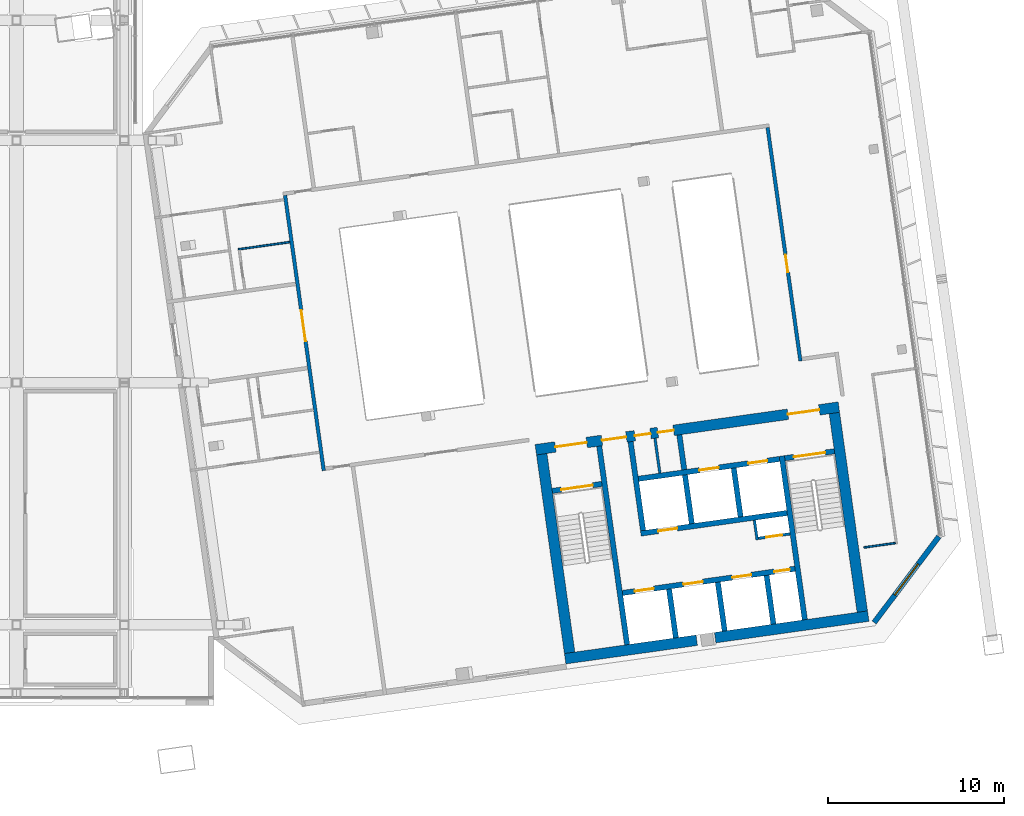
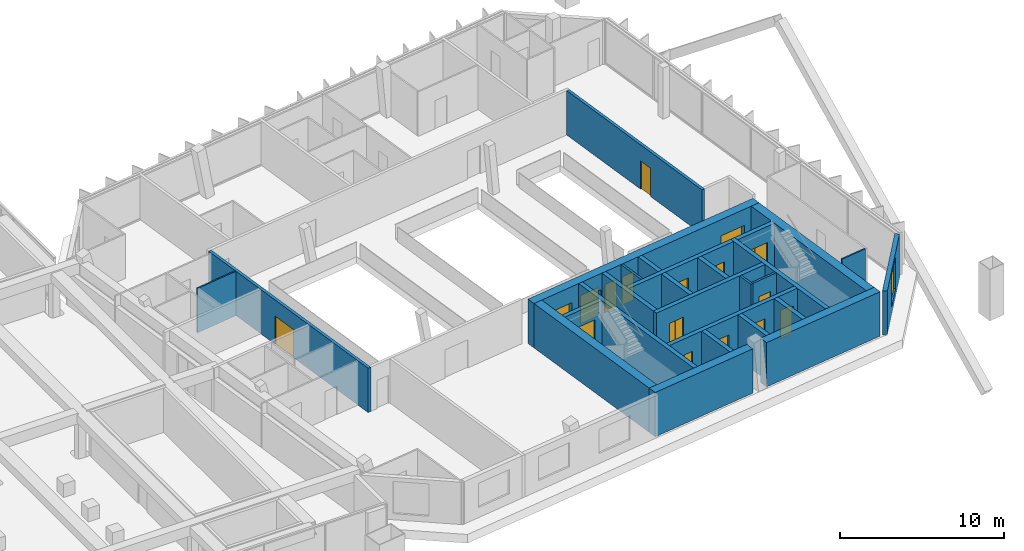
# One storey, part 19 of 28: 27 walls, 17 doors, 1 window, 18 openings.
"""IFC4 building model written with IfcOpenShell, lengths in metres."""

from ifc_helpers import new_model, si_unit, direction, frame, frame_2d, origin, place, context, subcontext, project, spatial, rectangle, extrude, material, layer, layer_set, type_object, element, fill, save


model = new_model("IFC4")

# Units and contexts
model_context = context("Model", 3, precision=1e-05, world=origin(), true_north=direction((0.0, 1.0)))
body_context = subcontext(model_context, "Body", "Model", "MODEL_VIEW")
ifc_project = project(units=[si_unit("LENGTHUNIT", "METRE"), si_unit("AREAUNIT", "SQUARE_METRE"), si_unit("VOLUMEUNIT", "CUBIC_METRE"), si_unit("PLANEANGLEUNIT", "RADIAN"), si_unit("MASSUNIT", "GRAM", prefix="KILO")], contexts=[model_context])

# Site, building, storey
site_placement = place(None, origin())
site = spatial("IfcSite", under=ifc_project, at=site_placement, CompositionType="ELEMENT")
building_placement = place(site_placement, origin())
building = spatial("IfcBuilding", under=site, at=building_placement, Name="Mirante Cascada Hotel Towers", CompositionType="ELEMENT")
storey_placement = place(building_placement, frame((0.0, 0.0, 262.2)))
storey = spatial("IfcBuildingStorey", under=building, at=storey_placement, Name="L63", CompositionType="ELEMENT", Elevation=262.2)

# Wall, opening, door
ifc_material_1 = material(Name="Fire-rated plasterboard on metal studs")
ifc_layer_1 = layer(ifc_material_1, 0.2)
ifc_layer_set_1 = layer_set([ifc_layer_1], Name="Compartment wall 200 EI 120")
wall_type_1 = type_object("IfcWallType", Name="Compartment wall 200 EI 120", PredefinedType="PARTITIONING", material=ifc_layer_set_1)
wall_1_placement = place(storey_placement, frame((21.3932, 6.7877, 0.0), z_axis=(0.0, 0.0, 1.0), x_axis=(0.1391774, -0.9902675, 0.0)))
wall_1 = element("IfcWall", 1, at=wall_1_placement, inside=storey, type_object=wall_type_1, Name="Wall 2-L63-33", PredefinedType="PARTITIONING", context=body_context, shape_type="SweptSolid", body=[
    extrude(rectangle(XDim=15.8, YDim=0.2, at=frame_2d((7.9, 0.0))), origin(), (0.0, 0.0, 1.0), 3.3),
])
opening_1_placement = place(wall_1_placement, frame((6.5834, 0.0, 0.0)))
opening_1 = element("IfcOpeningElement", 2, at=opening_1_placement, cuts=wall_1, Name="Opening D2-L63-23", PredefinedType="OPENING", context=body_context, shape_type="SweptSolid", body=[
    extrude(rectangle(XDim=1.8, YDim=2.1, at=frame_2d((0.9, 1.05))), frame((0.0, 0.1, 0.0), z_axis=(0.0, -1.0, 0.0), x_axis=(1.0, 0.0, 0.0)), (0.0, 0.0, 1.0), 0.2),
])
ifc_material_2 = material(Name="Fire-rated timber door leaf", Category="wood")
door_type_1 = type_object("IfcDoorType", Name="Suite double door DG2 1800x2100 EI 60", OperationType="DOUBLE_DOOR_SINGLE_SWING", PredefinedType="DOOR", material=ifc_material_2)
door_1_placement = place(opening_1_placement, origin())
door_1 = element("IfcDoor", 3, at=door_1_placement, inside=storey, type_object=door_type_1, Name="Door D2-L63-23", OperationType="DOUBLE_DOOR_SINGLE_SWING", OverallHeight=2.1, OverallWidth=1.8, PredefinedType="DOOR", context=body_context, shape_type="SweptSolid", body=[
    extrude(rectangle(XDim=0.895, YDim=2.1, at=frame_2d((0.4475, 1.05))), frame((0.0, 0.025, 0.0), z_axis=(0.0, -1.0, 0.0), x_axis=(1.0, 0.0, 0.0)), (0.0, 0.0, 1.0), 0.05),
    extrude(rectangle(XDim=0.895, YDim=2.1, at=frame_2d((1.3525, 1.05))), frame((0.0, 0.025, 0.0), z_axis=(0.0, -1.0, 0.0), x_axis=(1.0, 0.0, 0.0)), (0.0, 0.0, 1.0), 0.05),
])
fill(opening_1, door_1)

wall_2_placement = place(storey_placement, frame((48.8237, 10.6428, 0.0), z_axis=(0.0, 0.0, 1.0), x_axis=(0.1391716, -0.9902683, 0.0)))
wall_2 = element("IfcWall", 4, at=wall_2_placement, inside=storey, type_object=wall_type_1, Name="Wall 2-L63-43", PredefinedType="PARTITIONING", context=body_context, shape_type="SweptSolid", body=[
    extrude(rectangle(XDim=13.4, YDim=0.2, at=frame_2d((6.7, 0.0))), origin(), (0.0, 0.0, 1.0), 3.3),
])
opening_2_placement = place(wall_2_placement, frame((7.3, 0.0, 0.0)))
opening_2 = element("IfcOpeningElement", 5, at=opening_2_placement, cuts=wall_2, Name="Opening D2-L63-26", PredefinedType="OPENING", context=body_context, shape_type="SweptSolid", body=[
    extrude(rectangle(XDim=1.0, YDim=2.1, at=frame_2d((0.5, 1.05))), frame((0.0, 0.1, 0.0), z_axis=(0.0, -1.0, 0.0), x_axis=(1.0, 0.0, 0.0)), (0.0, 0.0, 1.0), 0.2),
])
ifc_material_3 = material(Name="Fire-rated timber door leaf", Category="wood")
door_type_2 = type_object("IfcDoorType", Name="Entrance door DG1 1000x2100 EI 60", OperationType="SINGLE_SWING_LEFT", PredefinedType="DOOR", material=ifc_material_3)
door_2_placement = place(opening_2_placement, origin())
door_2 = element("IfcDoor", 6, at=door_2_placement, inside=storey, type_object=door_type_2, Name="Door D2-L63-26", OperationType="SINGLE_SWING_LEFT", OverallHeight=2.1, OverallWidth=1.0, PredefinedType="DOOR", context=body_context, shape_type="SweptSolid", body=[
    extrude(rectangle(XDim=1.0, YDim=2.1, at=frame_2d((0.5, 1.05))), frame((0.0, 0.025, 0.0), z_axis=(0.0, -1.0, 0.0), x_axis=(1.0, 0.0, 0.0)), (0.0, 0.0, 1.0), 0.05),
])
fill(opening_2, door_2)

# Wall
ifc_material_4 = material(Name="Masonry block", Category="masonry")
ifc_layer_2 = layer(ifc_material_4, 0.15)
ifc_layer_set_2 = layer_set([ifc_layer_2], Name="Core room partition 150 block EI 30")
wall_type_2 = type_object("IfcWallType", Name="Core room partition 150 block EI 30", PredefinedType="PARTITIONING", material=ifc_layer_set_2)
wall_3_placement = place(storey_placement, frame((48.2295, -12.793, 0.0), z_axis=(0.0, 0.0, 1.0), x_axis=(-0.1391935, 0.9902652, 0.0)))
element("IfcWall", 7, at=wall_3_placement, inside=storey, type_object=wall_type_2, Name="Core wall partition T2 L63 2", PredefinedType="PARTITIONING", context=body_context, shape_type="SweptSolid", body=[
    extrude(rectangle(XDim=1.1251, YDim=0.15, at=frame_2d((0.5626, 0.0))), origin(), (0.0, 0.0, 1.0), 3.3),
])

# Wall, opening, door
wall_4_placement = place(storey_placement, frame((48.2933, -12.7083, 0.0), z_axis=(0.0, 0.0, 1.0), x_axis=(0.990268, 0.1391734, 0.0)))
wall_4 = element("IfcWall", 8, at=wall_4_placement, inside=storey, type_object=wall_type_2, Name="Core wall partition T2 L63 3", PredefinedType="PARTITIONING", context=body_context, shape_type="SweptSolid", body=[
    extrude(rectangle(XDim=1.8251, YDim=0.15, at=frame_2d((0.9126, 0.0))), origin(), (0.0, 0.0, 1.0), 3.3),
])
opening_3_placement = place(wall_4_placement, frame((0.4625, 0.0, 0.0)))
opening_3 = element("IfcOpeningElement", 9, at=opening_3_placement, cuts=wall_4, Name="Opening D2-63-C13", PredefinedType="OPENING", context=body_context, shape_type="SweptSolid", body=[
    extrude(rectangle(XDim=0.9, YDim=2.1, at=frame_2d((0.45, 1.05))), frame((0.0, 0.075, 0.0), z_axis=(0.0, -1.0, 0.0), x_axis=(1.0, 0.0, 0.0)), (0.0, 0.0, 1.0), 0.15),
])
ifc_material_5 = material(Name="Hollow metal fire door leaf")
door_type_3 = type_object("IfcDoorType", Name="Fire door 900x2100 FD60", OperationType="NOTDEFINED", PredefinedType="DOOR", material=ifc_material_5)
door_3_placement = place(opening_3_placement, frame((0.9, 0.0, 0.0), z_axis=(0.0, 0.0, 1.0), x_axis=(-1.0, 0.0, 0.0)))
door_3 = element("IfcDoor", 10, at=door_3_placement, inside=storey, type_object=door_type_3, Name="Riser door T2 L63 13", OperationType="SINGLE_SWING_RIGHT", OverallHeight=2.1, OverallWidth=0.9, PredefinedType="DOOR", context=body_context, shape_type="SweptSolid", body=[
    extrude(rectangle(XDim=0.9, YDim=2.1, at=frame_2d((0.45, 1.05))), frame((0.0, 0.025, 0.0), z_axis=(0.0, -1.0, 0.0), x_axis=(1.0, 0.0, 0.0)), (0.0, 0.0, 1.0), 0.05),
])
fill(opening_3, door_3)

# Walls
wall_5_placement = place(storey_placement, frame((42.6979, -9.0009, 0.0), z_axis=(0.0, 0.0, 1.0), x_axis=(-0.1391529, 0.9902709, 0.0)))
element("IfcWall", 11, at=wall_5_placement, inside=storey, type_object=wall_type_2, Name="Core wall partition T2 L63 4", PredefinedType="PARTITIONING", context=body_context, shape_type="SweptSolid", body=[
    extrude(rectangle(XDim=2.0, YDim=0.15, at=frame_2d((1.0, 0.0))), origin(), (0.0, 0.0, 1.0), 3.3),
])
ifc_material_6 = material(Name="Masonry block", Category="masonry")
ifc_layer_3 = layer(ifc_material_6, 0.3)
ifc_layer_set_3 = layer_set([ifc_layer_3], Name="Core wall 300 block EI 120")
wall_type_3 = type_object("IfcWallType", Name="Core wall 300 block EI 120", PredefinedType="PARTITIONING", material=ifc_layer_set_3)
wall_6_placement = place(storey_placement, frame((44.0843, -8.8061, 0.0), z_axis=(0.0, 0.0, 1.0), x_axis=(-0.1391951, 0.990265, 0.0)))
element("IfcWall", 12, at=wall_6_placement, inside=storey, type_object=wall_type_3, Name="Core wall partition T2 L63 1", PredefinedType="PARTITIONING", context=body_context, shape_type="SweptSolid", body=[
    extrude(rectangle(XDim=2.0001, YDim=0.3, at=frame_2d((1.0001, 0.0))), origin(), (0.0, 0.0, 1.0), 3.3),
])
ifc_material_7 = material(Name="Plasterboard on metal studs")
ifc_layer_4 = layer(ifc_material_7, 0.1)
ifc_layer_set_4 = layer_set([ifc_layer_4], Name="Partition 100")
wall_type_4 = type_object("IfcWallType", Name="Partition 100", PredefinedType="PARTITIONING", material=ifc_layer_set_4)
wall_7_placement = place(storey_placement, frame((54.299, -13.2275, 0.0), z_axis=(0.0, 0.0, 1.0), x_axis=(0.9902685, 0.1391702, 0.0)))
element("IfcWall", 13, at=wall_7_placement, inside=storey, type_object=wall_type_4, Name="Wall 2-L63-02", PredefinedType="PARTITIONING", context=body_context, shape_type="SweptSolid", body=[
    extrude(rectangle(XDim=1.81, YDim=0.1, at=frame_2d((0.905, 0.0))), origin(), (0.0, 0.0, 1.0), 3.3),
])
wall_8_placement = place(storey_placement, frame((18.7322, 3.7208, 0.0), z_axis=(0.0, 0.0, 1.0), x_axis=(0.990269, 0.1391664, 0.0)))
element("IfcWall", 14, at=wall_8_placement, inside=storey, type_object=wall_type_4, Name="Wall 2-L63-12", PredefinedType="PARTITIONING", context=body_context, shape_type="SweptSolid", body=[
    extrude(rectangle(XDim=2.9619, YDim=0.1, at=frame_2d((1.481, 0.0))), origin(), (0.0, 0.0, 1.0), 3.3),
])

# Wall, opening, window
ifc_material_8 = material(Name="Precast concrete C40/50", Category="concrete")
ifc_layer_5 = layer(ifc_material_8, 0.3)
ifc_layer_set_5 = layer_set([ifc_layer_5], Name="Precast concrete C40/50 cladding wall 300")
wall_type_5 = type_object("IfcWallType", Name="Precast concrete C40/50 cladding wall 300", PredefinedType="STANDARD", material=ifc_layer_set_5)
wall_9_placement = place(storey_placement, frame((54.8802, -17.4943, 0.0), z_axis=(0.0, 0.0, 1.0), x_axis=(0.6018141, 0.7986362, 0.0)))
wall_9 = element("IfcWall", 15, at=wall_9_placement, inside=storey, type_object=wall_type_5, Name="Corner cladding wall T2 L63 rear outer", PredefinedType="STANDARD", context=body_context, shape_type="SweptSolid", body=[
    extrude(rectangle(XDim=6.1157, YDim=0.3, at=frame_2d((3.0578, 0.0))), origin(), (0.0, 0.0, 1.0), 3.3),
])
opening_4_placement = place(wall_9_placement, frame((1.9578, 0.0, 0.6)))
opening_4 = element("IfcOpeningElement", 16, at=opening_4_placement, cuts=wall_9, Name="Opening W2-63-04", PredefinedType="OPENING", context=body_context, shape_type="SweptSolid", body=[
    extrude(rectangle(XDim=2.2, YDim=2.4, at=frame_2d((1.1, 1.2))), frame((0.0, 0.15, 0.0), z_axis=(0.0, -1.0, 0.0), x_axis=(1.0, 0.0, 0.0)), (0.0, 0.0, 1.0), 0.3),
])
ifc_material_9 = material(Name="Aluminium frame with clear double glazing", Category="aluminium")
window_type = type_object("IfcWindowType", Name="Corner suite window 2200x2400", PartitioningType="DOUBLE_PANEL_VERTICAL", PredefinedType="WINDOW", material=ifc_material_9)
window_placement = place(opening_4_placement, origin())
window = element("IfcWindow", 17, at=window_placement, inside=storey, type_object=window_type, Name="Window W2-63-04", OverallHeight=2.4, OverallWidth=2.2, PartitioningType="SINGLE_PANEL", PredefinedType="WINDOW", context=body_context, shape_type="SweptSolid", body=[
    extrude(rectangle(XDim=2.2, YDim=2.4, at=frame_2d((1.1, 1.2))), frame((0.0, 0.03, 0.0), z_axis=(0.0, -1.0, 0.0), x_axis=(1.0, 0.0, 0.0)), (0.0, 0.0, 1.0), 0.06),
])
fill(opening_4, window)

# Walls
ifc_material_10 = material(Name="Concrete C50/60", Category="concrete")
ifc_layer_6 = layer(ifc_material_10, 0.3)
ifc_layer_set_6 = layer_set([ifc_layer_6], Name="RC core wall 300 C50/60")
wall_type_6 = type_object("IfcWallType", Name="RC core wall 300 C50/60", PredefinedType="SHEAR", material=ifc_layer_set_6)
wall_10_placement = place(storey_placement, frame((40.8373, -18.7548, 0.0), z_axis=(0.0, 0.0, 1.0), x_axis=(-0.1391749, 0.9902678, 0.0)))
element("IfcWall", 18, at=wall_10_placement, inside=storey, type_object=wall_type_6, Name="Core wall T2:L63:5", PredefinedType="SHEAR", context=body_context, shape_type="SweptSolid", body=[
    extrude(rectangle(XDim=11.4, YDim=0.3, at=frame_2d((5.7, 0.0))), origin(), (0.0, 0.0, 1.0), 3.3),
])
wall_11_placement = place(storey_placement, frame((50.938, -17.3352, 0.0), z_axis=(0.0, 0.0, 1.0), x_axis=(-0.1391706, 0.9902684, 0.0)))
element("IfcWall", 19, at=wall_11_placement, inside=storey, type_object=wall_type_6, Name="Core wall T2:L63:6", PredefinedType="SHEAR", context=body_context, shape_type="SweptSolid", body=[
    extrude(rectangle(XDim=9.4, YDim=0.3, at=frame_2d((4.7, 0.0))), origin(), (0.0, 0.0, 1.0), 3.3),
])

# Wall, opening, door
wall_12_placement = place(storey_placement, frame((36.5791, -10.0123, 0.0), z_axis=(0.0, 0.0, 1.0), x_axis=(0.9902704, 0.1391564, 0.0)))
wall_12 = element("IfcWall", 20, at=wall_12_placement, inside=storey, type_object=wall_type_6, Name="Core wall T2:L63:7", PredefinedType="SHEAR", context=body_context, shape_type="SweptSolid", body=[
    extrude(rectangle(XDim=2.85, YDim=0.3, at=frame_2d((1.425, 0.0))), origin(), (0.0, 0.0, 1.0), 3.3),
])
opening_5_placement = place(wall_12_placement, frame((0.525, 0.0, 0.0)))
opening_5 = element("IfcOpeningElement", 21, at=opening_5_placement, cuts=wall_12, Name="Opening D2-63-C07", PredefinedType="OPENING", context=body_context, shape_type="SweptSolid", body=[
    extrude(rectangle(XDim=1.8, YDim=2.1, at=frame_2d((0.9, 1.05))), frame((0.0, 0.15, 0.0), z_axis=(0.0, -1.0, 0.0), x_axis=(1.0, 0.0, 0.0)), (0.0, 0.0, 1.0), 0.3),
])
ifc_material_11 = material(Name="Hollow metal fire door leaf")
door_type_4 = type_object("IfcDoorType", Name="Double fire door 1800x2100 FD60", OperationType="DOUBLE_DOOR_SINGLE_SWING", PredefinedType="DOOR", material=ifc_material_11)
door_4_placement = place(opening_5_placement, frame((1.8, 0.0, 0.0), z_axis=(0.0, 0.0, 1.0), x_axis=(-1.0, 0.0, 0.0)))
door_4 = element("IfcDoor", 22, at=door_4_placement, inside=storey, type_object=door_type_4, Name="Stair door T2 L63 7", OperationType="DOUBLE_DOOR_SINGLE_SWING", OverallHeight=2.1, OverallWidth=1.8, PredefinedType="DOOR", context=body_context, shape_type="SweptSolid", body=[
    extrude(rectangle(XDim=0.895, YDim=2.1, at=frame_2d((0.4475, 1.05))), frame((0.0, 0.025, 0.0), z_axis=(0.0, -1.0, 0.0), x_axis=(1.0, 0.0, 0.0)), (0.0, 0.0, 1.0), 0.05),
    extrude(rectangle(XDim=0.895, YDim=2.1, at=frame_2d((1.3525, 1.05))), frame((0.0, 0.025, 0.0), z_axis=(0.0, -1.0, 0.0), x_axis=(1.0, 0.0, 0.0)), (0.0, 0.0, 1.0), 0.05),
])
fill(opening_5, door_4)

wall_13_placement = place(storey_placement, frame((49.7992, -8.1544, 0.0), z_axis=(0.0, 0.0, 1.0), x_axis=(0.9902656, 0.1391909, 0.0)))
wall_13 = element("IfcWall", 23, at=wall_13_placement, inside=storey, type_object=wall_type_6, Name="Core wall T2:L63:8", PredefinedType="SHEAR", context=body_context, shape_type="SweptSolid", body=[
    extrude(rectangle(XDim=2.85, YDim=0.3, at=frame_2d((1.425, 0.0))), origin(), (0.0, 0.0, 1.0), 3.3),
])
opening_6_placement = place(wall_13_placement, frame((0.525, 0.0, 0.0)))
opening_6 = element("IfcOpeningElement", 24, at=opening_6_placement, cuts=wall_13, Name="Opening D2-63-C09", PredefinedType="OPENING", context=body_context, shape_type="SweptSolid", body=[
    extrude(rectangle(XDim=1.8, YDim=2.1, at=frame_2d((0.9, 1.05))), frame((0.0, 0.15, 0.0), z_axis=(0.0, -1.0, 0.0), x_axis=(1.0, 0.0, 0.0)), (0.0, 0.0, 1.0), 0.3),
])
door_5_placement = place(opening_6_placement, frame((1.8, 0.0, 0.0), z_axis=(0.0, 0.0, 1.0), x_axis=(-1.0, 0.0, 0.0)))
door_5 = element("IfcDoor", 25, at=door_5_placement, inside=storey, type_object=door_type_4, Name="Stair door T2 L63 9", OperationType="DOUBLE_DOOR_SINGLE_SWING", OverallHeight=2.1, OverallWidth=1.8, PredefinedType="DOOR", context=body_context, shape_type="SweptSolid", body=[
    extrude(rectangle(XDim=0.895, YDim=2.1, at=frame_2d((0.4475, 1.05))), frame((0.0, 0.025, 0.0), z_axis=(0.0, -1.0, 0.0), x_axis=(1.0, 0.0, 0.0)), (0.0, 0.0, 1.0), 0.05),
    extrude(rectangle(XDim=0.895, YDim=2.1, at=frame_2d((1.3525, 1.05))), frame((0.0, 0.025, 0.0), z_axis=(0.0, -1.0, 0.0), x_axis=(1.0, 0.0, 0.0)), (0.0, 0.0, 1.0), 0.05),
])
fill(opening_6, door_5)

# Wall, openings, doors
wall_14_placement = place(storey_placement, frame((40.5753, -15.8126, 0.0), z_axis=(0.0, 0.0, 1.0), x_axis=(0.9902682, 0.1391725, 0.0)))
wall_14 = element("IfcWall", 26, at=wall_14_placement, inside=storey, type_object=wall_type_6, Name="Core wall T2:L63:9", PredefinedType="SHEAR", context=body_context, shape_type="SweptSolid", body=[
    extrude(rectangle(XDim=9.8999, YDim=0.3, at=frame_2d((4.95, 0.0))), origin(), (0.0, 0.0, 1.0), 3.3),
])
opening_7_placement = place(wall_14_placement, frame((0.7, 0.0, 0.0)))
opening_7 = element("IfcOpeningElement", 27, at=opening_7_placement, cuts=wall_14, Name="Opening LD", PredefinedType="OPENING", context=body_context, shape_type="SweptSolid", body=[
    extrude(rectangle(XDim=1.1, YDim=2.1, at=frame_2d((0.55, 1.05))), frame((0.0, 0.15, 0.0), z_axis=(0.0, -1.0, 0.0), x_axis=(1.0, 0.0, 0.0)), (0.0, 0.0, 1.0), 0.3),
])
opening_8_placement = place(wall_14_placement, frame((3.5, 0.0, 0.0)))
opening_8 = element("IfcOpeningElement", 28, at=opening_8_placement, cuts=wall_14, Name="Opening LD", PredefinedType="OPENING", context=body_context, shape_type="SweptSolid", body=[
    extrude(rectangle(XDim=1.1, YDim=2.1, at=frame_2d((0.55, 1.05))), frame((0.0, 0.15, 0.0), z_axis=(0.0, -1.0, 0.0), x_axis=(1.0, 0.0, 0.0)), (0.0, 0.0, 1.0), 0.3),
])
opening_9_placement = place(wall_14_placement, frame((6.3, 0.0, 0.0)))
opening_9 = element("IfcOpeningElement", 29, at=opening_9_placement, cuts=wall_14, Name="Opening LD", PredefinedType="OPENING", context=body_context, shape_type="SweptSolid", body=[
    extrude(rectangle(XDim=1.1, YDim=2.1, at=frame_2d((0.55, 1.05))), frame((0.0, 0.15, 0.0), z_axis=(0.0, -1.0, 0.0), x_axis=(1.0, 0.0, 0.0)), (0.0, 0.0, 1.0), 0.3),
])
opening_10_placement = place(wall_14_placement, frame((8.7, 0.0, 0.0)))
opening_10 = element("IfcOpeningElement", 30, at=opening_10_placement, cuts=wall_14, Name="Opening D2-63-C12", PredefinedType="OPENING", context=body_context, shape_type="SweptSolid", body=[
    extrude(rectangle(XDim=0.9, YDim=2.1, at=frame_2d((0.45, 1.05))), frame((0.0, 0.15, 0.0), z_axis=(0.0, -1.0, 0.0), x_axis=(1.0, 0.0, 0.0)), (0.0, 0.0, 1.0), 0.3),
])
door_6_placement = place(opening_10_placement, frame((0.9, 0.0, 0.0), z_axis=(0.0, 0.0, 1.0), x_axis=(-1.0, 0.0, 0.0)))
door_6 = element("IfcDoor", 31, at=door_6_placement, inside=storey, type_object=door_type_3, Name="Riser door T2 L63 12", OperationType="SINGLE_SWING_RIGHT", OverallHeight=2.1, OverallWidth=0.9, PredefinedType="DOOR", context=body_context, shape_type="SweptSolid", body=[
    extrude(rectangle(XDim=0.9, YDim=2.1, at=frame_2d((0.45, 1.05))), frame((0.0, 0.025, 0.0), z_axis=(0.0, -1.0, 0.0), x_axis=(1.0, 0.0, 0.0)), (0.0, 0.0, 1.0), 0.05),
])
fill(opening_10, door_6)
ifc_material_12 = material(Name="Stainless steel", Category="steel")
door_type_5 = type_object("IfcDoorType", Name="Lift landing door 1100x2100 EI 120", OperationType="DOUBLE_DOOR_SLIDING", PredefinedType="DOOR", material=ifc_material_12)
door_7_placement = place(opening_7_placement, origin())
door_7 = element("IfcDoor", 32, at=door_7_placement, inside=storey, type_object=door_type_5, Name="Lift landing door HR2-1 L63", OperationType="DOUBLE_DOOR_SLIDING", OverallHeight=2.1, OverallWidth=1.1, PredefinedType="DOOR", context=body_context, shape_type="SweptSolid", body=[
    extrude(rectangle(XDim=0.545, YDim=2.1, at=frame_2d((0.2725, 1.05))), frame((0.0, 0.025, 0.0), z_axis=(0.0, -1.0, 0.0), x_axis=(1.0, 0.0, 0.0)), (0.0, 0.0, 1.0), 0.05),
    extrude(rectangle(XDim=0.545, YDim=2.1, at=frame_2d((0.8275, 1.05))), frame((0.0, 0.025, 0.0), z_axis=(0.0, -1.0, 0.0), x_axis=(1.0, 0.0, 0.0)), (0.0, 0.0, 1.0), 0.05),
])
fill(opening_7, door_7)
door_8_placement = place(opening_8_placement, origin())
door_8 = element("IfcDoor", 33, at=door_8_placement, inside=storey, type_object=door_type_5, Name="Lift landing door HR2-2 L63", OperationType="DOUBLE_DOOR_SLIDING", OverallHeight=2.1, OverallWidth=1.1, PredefinedType="DOOR", context=body_context, shape_type="SweptSolid", body=[
    extrude(rectangle(XDim=0.545, YDim=2.1, at=frame_2d((0.2725, 1.05))), frame((0.0, 0.025, 0.0), z_axis=(0.0, -1.0, 0.0), x_axis=(1.0, 0.0, 0.0)), (0.0, 0.0, 1.0), 0.05),
    extrude(rectangle(XDim=0.545, YDim=2.1, at=frame_2d((0.8275, 1.05))), frame((0.0, 0.025, 0.0), z_axis=(0.0, -1.0, 0.0), x_axis=(1.0, 0.0, 0.0)), (0.0, 0.0, 1.0), 0.05),
])
fill(opening_8, door_8)
door_9_placement = place(opening_9_placement, origin())
door_9 = element("IfcDoor", 34, at=door_9_placement, inside=storey, type_object=door_type_5, Name="Lift landing door HR2-3 L63", OperationType="DOUBLE_DOOR_SLIDING", OverallHeight=2.1, OverallWidth=1.1, PredefinedType="DOOR", context=body_context, shape_type="SweptSolid", body=[
    extrude(rectangle(XDim=0.545, YDim=2.1, at=frame_2d((0.2725, 1.05))), frame((0.0, 0.025, 0.0), z_axis=(0.0, -1.0, 0.0), x_axis=(1.0, 0.0, 0.0)), (0.0, 0.0, 1.0), 0.05),
    extrude(rectangle(XDim=0.545, YDim=2.1, at=frame_2d((0.8275, 1.05))), frame((0.0, 0.025, 0.0), z_axis=(0.0, -1.0, 0.0), x_axis=(1.0, 0.0, 0.0)), (0.0, 0.0, 1.0), 0.05),
])
fill(opening_9, door_9)

# Wall, opening, door
wall_15_placement = place(storey_placement, frame((41.6153, -12.435, 0.0), z_axis=(0.0, 0.0, 1.0), x_axis=(0.9902691, 0.139166, 0.0)))
wall_15 = element("IfcWall", 35, at=wall_15_placement, inside=storey, type_object=wall_type_6, Name="Core wall T2:L63:10", PredefinedType="SHEAR", context=body_context, shape_type="SweptSolid", body=[
    extrude(rectangle(XDim=8.4, YDim=0.3, at=frame_2d((4.2, 0.0))), origin(), (0.0, 0.0, 1.0), 3.3),
])
opening_11_placement = place(wall_15_placement, frame((1.0, 0.0, 0.0)))
opening_11 = element("IfcOpeningElement", 36, at=opening_11_placement, cuts=wall_15, Name="Opening LD", PredefinedType="OPENING", context=body_context, shape_type="SweptSolid", body=[
    extrude(rectangle(XDim=1.1, YDim=2.1, at=frame_2d((0.55, 1.05))), frame((0.0, 0.15, 0.0), z_axis=(0.0, -1.0, 0.0), x_axis=(1.0, 0.0, 0.0)), (0.0, 0.0, 1.0), 0.3),
])
door_10_placement = place(opening_11_placement, origin())
door_10 = element("IfcDoor", 37, at=door_10_placement, inside=storey, type_object=door_type_5, Name="Lift landing door HR2-4 L63", OperationType="DOUBLE_DOOR_SLIDING", OverallHeight=2.1, OverallWidth=1.1, PredefinedType="DOOR", context=body_context, shape_type="SweptSolid", body=[
    extrude(rectangle(XDim=0.545, YDim=2.1, at=frame_2d((0.2725, 1.05))), frame((0.0, 0.025, 0.0), z_axis=(0.0, -1.0, 0.0), x_axis=(1.0, 0.0, 0.0)), (0.0, 0.0, 1.0), 0.05),
    extrude(rectangle(XDim=0.545, YDim=2.1, at=frame_2d((0.8275, 1.05))), frame((0.0, 0.025, 0.0), z_axis=(0.0, -1.0, 0.0), x_axis=(1.0, 0.0, 0.0)), (0.0, 0.0, 1.0), 0.05),
])
fill(opening_11, door_10)

# Wall, openings, doors
wall_16_placement = place(storey_placement, frame((41.481, -9.3234, 0.0), z_axis=(0.0, 0.0, 1.0), x_axis=(0.9902679, 0.1391741, 0.0)))
wall_16 = element("IfcWall", 38, at=wall_16_placement, inside=storey, type_object=wall_type_6, Name="Core wall T2:L63:11", PredefinedType="SHEAR", context=body_context, shape_type="SweptSolid", body=[
    extrude(rectangle(XDim=8.0999, YDim=0.3, at=frame_2d((4.05, 0.0))), origin(), (0.0, 0.0, 1.0), 3.3),
])
opening_12_placement = place(wall_16_placement, frame((3.5, 0.0, 0.0)))
opening_12 = element("IfcOpeningElement", 39, at=opening_12_placement, cuts=wall_16, Name="Opening LD", PredefinedType="OPENING", context=body_context, shape_type="SweptSolid", body=[
    extrude(rectangle(XDim=1.1, YDim=2.1, at=frame_2d((0.55, 1.05))), frame((0.0, 0.15, 0.0), z_axis=(0.0, -1.0, 0.0), x_axis=(1.0, 0.0, 0.0)), (0.0, 0.0, 1.0), 0.3),
])
opening_13_placement = place(wall_16_placement, frame((6.3, 0.0, 0.0)))
opening_13 = element("IfcOpeningElement", 40, at=opening_13_placement, cuts=wall_16, Name="Opening LD", PredefinedType="OPENING", context=body_context, shape_type="SweptSolid", body=[
    extrude(rectangle(XDim=1.1, YDim=2.1, at=frame_2d((0.55, 1.05))), frame((0.0, 0.15, 0.0), z_axis=(0.0, -1.0, 0.0), x_axis=(1.0, 0.0, 0.0)), (0.0, 0.0, 1.0), 0.3),
])
door_11_placement = place(opening_12_placement, origin())
door_11 = element("IfcDoor", 41, at=door_11_placement, inside=storey, type_object=door_type_5, Name="Lift landing door FF3 L63", OperationType="DOUBLE_DOOR_SLIDING", OverallHeight=2.1, OverallWidth=1.1, PredefinedType="DOOR", context=body_context, shape_type="SweptSolid", body=[
    extrude(rectangle(XDim=0.545, YDim=2.1, at=frame_2d((0.2725, 1.05))), frame((0.0, 0.025, 0.0), z_axis=(0.0, -1.0, 0.0), x_axis=(1.0, 0.0, 0.0)), (0.0, 0.0, 1.0), 0.05),
    extrude(rectangle(XDim=0.545, YDim=2.1, at=frame_2d((0.8275, 1.05))), frame((0.0, 0.025, 0.0), z_axis=(0.0, -1.0, 0.0), x_axis=(1.0, 0.0, 0.0)), (0.0, 0.0, 1.0), 0.05),
])
fill(opening_12, door_11)
door_12_placement = place(opening_13_placement, origin())
door_12 = element("IfcDoor", 42, at=door_12_placement, inside=storey, type_object=door_type_5, Name="Lift landing door FF4 L63", OperationType="DOUBLE_DOOR_SLIDING", OverallHeight=2.1, OverallWidth=1.1, PredefinedType="DOOR", context=body_context, shape_type="SweptSolid", body=[
    extrude(rectangle(XDim=0.545, YDim=2.1, at=frame_2d((0.2725, 1.05))), frame((0.0, 0.025, 0.0), z_axis=(0.0, -1.0, 0.0), x_axis=(1.0, 0.0, 0.0)), (0.0, 0.0, 1.0), 0.05),
    extrude(rectangle(XDim=0.545, YDim=2.1, at=frame_2d((0.8275, 1.05))), frame((0.0, 0.025, 0.0), z_axis=(0.0, -1.0, 0.0), x_axis=(1.0, 0.0, 0.0)), (0.0, 0.0, 1.0), 0.05),
])
fill(opening_13, door_12)

# Walls
wall_17_placement = place(storey_placement, frame((43.61, -18.3651, 0.0), z_axis=(0.0, 0.0, 1.0), x_axis=(-0.1391459, 0.9902719, 0.0)))
element("IfcWall", 43, at=wall_17_placement, inside=storey, type_object=wall_type_6, Name="Core wall T2:L63:12", PredefinedType="SHEAR", context=body_context, shape_type="SweptSolid", body=[
    extrude(rectangle(XDim=2.7999, YDim=0.3, at=frame_2d((1.4, 0.0))), origin(), (0.0, 0.0, 1.0), 3.3),
])
wall_18_placement = place(storey_placement, frame((46.3828, -17.9754, 0.0), z_axis=(0.0, 0.0, 1.0), x_axis=(-0.139181, 0.990267, 0.0)))
element("IfcWall", 44, at=wall_18_placement, inside=storey, type_object=wall_type_6, Name="Core wall T2:L63:13", PredefinedType="SHEAR", context=body_context, shape_type="SweptSolid", body=[
    extrude(rectangle(XDim=2.8, YDim=0.3, at=frame_2d((1.4, 0.0))), origin(), (0.0, 0.0, 1.0), 3.3),
])
wall_19_placement = place(storey_placement, frame((49.1555, -17.5857, 0.0), z_axis=(0.0, 0.0, 1.0), x_axis=(-0.1391459, 0.9902719, 0.0)))
element("IfcWall", 45, at=wall_19_placement, inside=storey, type_object=wall_type_6, Name="Core wall T2:L63:14", PredefinedType="SHEAR", context=body_context, shape_type="SweptSolid", body=[
    extrude(rectangle(XDim=2.7999, YDim=0.3, at=frame_2d((1.4, 0.0))), origin(), (0.0, 0.0, 1.0), 3.3),
])
for number, where, z_axis, x_axis, name in (
    (46, (44.5157, -11.8759, 0.0), (0.0, 0.0, 1.0), (-0.139181, 0.990267, 0.0), "Core wall T2:L63:15"),
    (47, (47.2885, -11.4862, 0.0), (0.0, 0.0, 1.0), (-0.139181, 0.990267, 0.0), "Core wall T2:L63:16"),
):
    element("IfcWall", number, at=place(storey_placement, frame(where, z_axis=z_axis, x_axis=x_axis)), inside=storey, type_object=wall_type_6, Name=name, PredefinedType="SHEAR", context=body_context, shape_type="SweptSolid", body=[
        extrude(rectangle(XDim=2.8, YDim=0.3, at=frame_2d((1.4, 0.0))), origin(), (0.0, 0.0, 1.0), 3.3),
    ])
wall_20_placement = place(storey_placement, frame((41.743, -12.2656, 0.0), z_axis=(0.0, 0.0, 1.0), x_axis=(-0.1391755, 0.9902677, 0.0)))
element("IfcWall", 48, at=wall_20_placement, inside=storey, type_object=wall_type_6, Name="Core wall T2:L63:17", PredefinedType="SHEAR", context=body_context, shape_type="SweptSolid", body=[
    extrude(rectangle(XDim=5.1, YDim=0.3, at=frame_2d((2.55, 0.0))), origin(), (0.0, 0.0, 1.0), 3.3),
])
ifc_material_13 = material(Name="Concrete C50/60", Category="concrete")
ifc_layer_7 = layer(ifc_material_13, 0.6)
ifc_layer_set_7 = layer_set([ifc_layer_7], Name="RC core wall 600 C50/60")
wall_type_7 = type_object("IfcWallType", Name="RC core wall 600 C50/60", PredefinedType="SHEAR", material=ifc_layer_set_7)
wall_21_placement = place(storey_placement, frame((37.3141, -19.5529, 0.0), z_axis=(0.0, 0.0, 1.0), x_axis=(0.9902688, 0.1391676, 0.0)))
element("IfcWall", 49, at=wall_21_placement, inside=storey, type_object=wall_type_7, Name="Core wall T2:L63:1.1", PredefinedType="SHEAR", context=body_context, shape_type="SweptSolid", body=[
    extrude(rectangle(XDim=7.5549, YDim=0.6, at=frame_2d((3.7774, 0.0))), origin(), (0.0, 0.0, 1.0), 3.3),
])
wall_22_placement = place(storey_placement, frame((45.8429, -18.3542, 0.0), z_axis=(0.0, 0.0, 1.0), x_axis=(0.990269, 0.1391666, 0.0)))
element("IfcWall", 50, at=wall_22_placement, inside=storey, type_object=wall_type_7, Name="Core wall T2:L63:1.2", PredefinedType="SHEAR", context=body_context, shape_type="SweptSolid", body=[
    extrude(rectangle(XDim=8.7873, YDim=0.6, at=frame_2d((4.3936, 0.0))), origin(), (0.0, 0.0, 1.0), 3.3),
])

# Wall, openings, doors
wall_23_placement = place(storey_placement, frame((35.644, -7.6697, 0.0), z_axis=(0.0, 0.0, 1.0), x_axis=(0.9902682, 0.1391721, 0.0)))
wall_23 = element("IfcWall", 51, at=wall_23_placement, inside=storey, type_object=wall_type_7, Name="Core wall T2:L63:2", PredefinedType="SHEAR", context=body_context, shape_type="SweptSolid", body=[
    extrude(rectangle(XDim=17.4, YDim=0.6, at=frame_2d((8.7, 0.0))), origin(), (0.0, 0.0, 1.0), 3.3),
])
opening_14_placement = place(wall_23_placement, frame((1.125, 0.0, 0.0)))
opening_14 = element("IfcOpeningElement", 52, at=opening_14_placement, cuts=wall_23, Name="Opening D2-63-C08", PredefinedType="OPENING", context=body_context, shape_type="SweptSolid", body=[
    extrude(rectangle(XDim=1.8, YDim=2.1, at=frame_2d((0.9, 1.05))), frame((0.0, 0.3, 0.0), z_axis=(0.0, -1.0, 0.0), x_axis=(1.0, 0.0, 0.0)), (0.0, 0.0, 1.0), 0.6),
])
opening_15_placement = place(wall_23_placement, frame((14.475, 0.0, 0.0)))
opening_15 = element("IfcOpeningElement", 53, at=opening_15_placement, cuts=wall_23, Name="Opening D2-63-C10", PredefinedType="OPENING", context=body_context, shape_type="SweptSolid", body=[
    extrude(rectangle(XDim=1.8, YDim=2.1, at=frame_2d((0.9, 1.05))), frame((0.0, 0.3, 0.0), z_axis=(0.0, -1.0, 0.0), x_axis=(1.0, 0.0, 0.0)), (0.0, 0.0, 1.0), 0.6),
])
opening_16_placement = place(wall_23_placement, frame((3.8, 0.0, 0.0)))
opening_16 = element("IfcOpeningElement", 54, at=opening_16_placement, cuts=wall_23, Name="Opening D2-63-C11", PredefinedType="OPENING", context=body_context, shape_type="SweptSolid", body=[
    extrude(rectangle(XDim=1.4, YDim=2.1, at=frame_2d((0.7, 1.05))), frame((0.0, 0.3, 0.0), z_axis=(0.0, -1.0, 0.0), x_axis=(1.0, 0.0, 0.0)), (0.0, 0.0, 1.0), 0.6),
])
opening_17_placement = place(wall_23_placement, frame((5.6875, 0.0, 0.0)))
opening_17 = element("IfcOpeningElement", 55, at=opening_17_placement, cuts=wall_23, Name="Opening D2-63-C14", PredefinedType="OPENING", context=body_context, shape_type="SweptSolid", body=[
    extrude(rectangle(XDim=0.9, YDim=2.1, at=frame_2d((0.45, 1.05))), frame((0.0, 0.3, 0.0), z_axis=(0.0, -1.0, 0.0), x_axis=(1.0, 0.0, 0.0)), (0.0, 0.0, 1.0), 0.6),
])
opening_18_placement = place(wall_23_placement, frame((7.0125, 0.0, 0.0)))
opening_18 = element("IfcOpeningElement", 56, at=opening_18_placement, cuts=wall_23, Name="Opening D2-63-C15", PredefinedType="OPENING", context=body_context, shape_type="SweptSolid", body=[
    extrude(rectangle(XDim=0.9, YDim=2.1, at=frame_2d((0.45, 1.05))), frame((0.0, 0.3, 0.0), z_axis=(0.0, -1.0, 0.0), x_axis=(1.0, 0.0, 0.0)), (0.0, 0.0, 1.0), 0.6),
])
ifc_material_14 = material(Name="Hollow metal fire door leaf")
door_type_6 = type_object("IfcDoorType", Name="Double fire door 1400x2100 FD60", OperationType="DOUBLE_DOOR_SINGLE_SWING", PredefinedType="DOOR", material=ifc_material_14)
door_13_placement = place(opening_16_placement, origin())
door_13 = element("IfcDoor", 57, at=door_13_placement, inside=storey, type_object=door_type_6, Name="Exit door to gallery T2 L63 11", OperationType="DOUBLE_DOOR_SINGLE_SWING", OverallHeight=2.1, OverallWidth=1.4, PredefinedType="DOOR", context=body_context, shape_type="SweptSolid", body=[
    extrude(rectangle(XDim=0.695, YDim=2.1, at=frame_2d((0.3475, 1.05))), frame((0.0, 0.025, 0.0), z_axis=(0.0, -1.0, 0.0), x_axis=(1.0, 0.0, 0.0)), (0.0, 0.0, 1.0), 0.05),
    extrude(rectangle(XDim=0.695, YDim=2.1, at=frame_2d((1.0525, 1.05))), frame((0.0, 0.025, 0.0), z_axis=(0.0, -1.0, 0.0), x_axis=(1.0, 0.0, 0.0)), (0.0, 0.0, 1.0), 0.05),
])
fill(opening_16, door_13)
door_14_placement = place(opening_14_placement, frame((1.8, 0.0, 0.0), z_axis=(0.0, 0.0, 1.0), x_axis=(-1.0, 0.0, 0.0)))
door_14 = element("IfcDoor", 58, at=door_14_placement, inside=storey, type_object=door_type_4, Name="Exit door to gallery T2 L63 8", OperationType="DOUBLE_DOOR_SINGLE_SWING", OverallHeight=2.1, OverallWidth=1.8, PredefinedType="DOOR", context=body_context, shape_type="SweptSolid", body=[
    extrude(rectangle(XDim=0.895, YDim=2.1, at=frame_2d((0.4475, 1.05))), frame((0.0, 0.025, 0.0), z_axis=(0.0, -1.0, 0.0), x_axis=(1.0, 0.0, 0.0)), (0.0, 0.0, 1.0), 0.05),
    extrude(rectangle(XDim=0.895, YDim=2.1, at=frame_2d((1.3525, 1.05))), frame((0.0, 0.025, 0.0), z_axis=(0.0, -1.0, 0.0), x_axis=(1.0, 0.0, 0.0)), (0.0, 0.0, 1.0), 0.05),
])
fill(opening_14, door_14)
door_15_placement = place(opening_15_placement, frame((1.8, 0.0, 0.0), z_axis=(0.0, 0.0, 1.0), x_axis=(-1.0, 0.0, 0.0)))
door_15 = element("IfcDoor", 59, at=door_15_placement, inside=storey, type_object=door_type_4, Name="Exit door to gallery T2 L63 10", OperationType="DOUBLE_DOOR_SINGLE_SWING", OverallHeight=2.1, OverallWidth=1.8, PredefinedType="DOOR", context=body_context, shape_type="SweptSolid", body=[
    extrude(rectangle(XDim=0.895, YDim=2.1, at=frame_2d((0.4475, 1.05))), frame((0.0, 0.025, 0.0), z_axis=(0.0, -1.0, 0.0), x_axis=(1.0, 0.0, 0.0)), (0.0, 0.0, 1.0), 0.05),
    extrude(rectangle(XDim=0.895, YDim=2.1, at=frame_2d((1.3525, 1.05))), frame((0.0, 0.025, 0.0), z_axis=(0.0, -1.0, 0.0), x_axis=(1.0, 0.0, 0.0)), (0.0, 0.0, 1.0), 0.05),
])
fill(opening_15, door_15)
door_16_placement = place(opening_17_placement, frame((0.9, 0.0, 0.0), z_axis=(0.0, 0.0, 1.0), x_axis=(-1.0, 0.0, 0.0)))
door_16 = element("IfcDoor", 60, at=door_16_placement, inside=storey, type_object=door_type_3, Name="Room door T2 L63 14", OperationType="SINGLE_SWING_LEFT", OverallHeight=2.1, OverallWidth=0.9, PredefinedType="DOOR", context=body_context, shape_type="SweptSolid", body=[
    extrude(rectangle(XDim=0.9, YDim=2.1, at=frame_2d((0.45, 1.05))), frame((0.0, 0.025, 0.0), z_axis=(0.0, -1.0, 0.0), x_axis=(1.0, 0.0, 0.0)), (0.0, 0.0, 1.0), 0.05),
])
fill(opening_17, door_16)
door_17_placement = place(opening_18_placement, frame((0.9, 0.0, 0.0), z_axis=(0.0, 0.0, 1.0), x_axis=(-1.0, 0.0, 0.0)))
door_17 = element("IfcDoor", 61, at=door_17_placement, inside=storey, type_object=door_type_3, Name="Room door T2 L63 15", OperationType="SINGLE_SWING_LEFT", OverallHeight=2.1, OverallWidth=0.9, PredefinedType="DOOR", context=body_context, shape_type="SweptSolid", body=[
    extrude(rectangle(XDim=0.9, YDim=2.1, at=frame_2d((0.45, 1.05))), frame((0.0, 0.025, 0.0), z_axis=(0.0, -1.0, 0.0), x_axis=(1.0, 0.0, 0.0)), (0.0, 0.0, 1.0), 0.05),
])
fill(opening_18, door_17)

# Walls
for number, where, z_axis, x_axis, name in (
    (62, (37.5694, -19.2141, 0.0), (0.0, 0.0, 1.0), (-0.1391749, 0.9902678, 0.0), "Core wall T2:L63:3"),
    (63, (54.2059, -16.876, 0.0), (0.0, 0.0, 1.0), (-0.1391749, 0.9902678, 0.0), "Core wall T2:L63:4"),
):
    element("IfcWall", number, at=place(storey_placement, frame(where, z_axis=z_axis, x_axis=x_axis)), inside=storey, type_object=wall_type_7, Name=name, PredefinedType="SHEAR", context=body_context, shape_type="SweptSolid", body=[
        extrude(rectangle(XDim=11.4, YDim=0.6, at=frame_2d((5.7, 0.0))), origin(), (0.0, 0.0, 1.0), 3.3),
    ])

save(model, "model.ifc")
